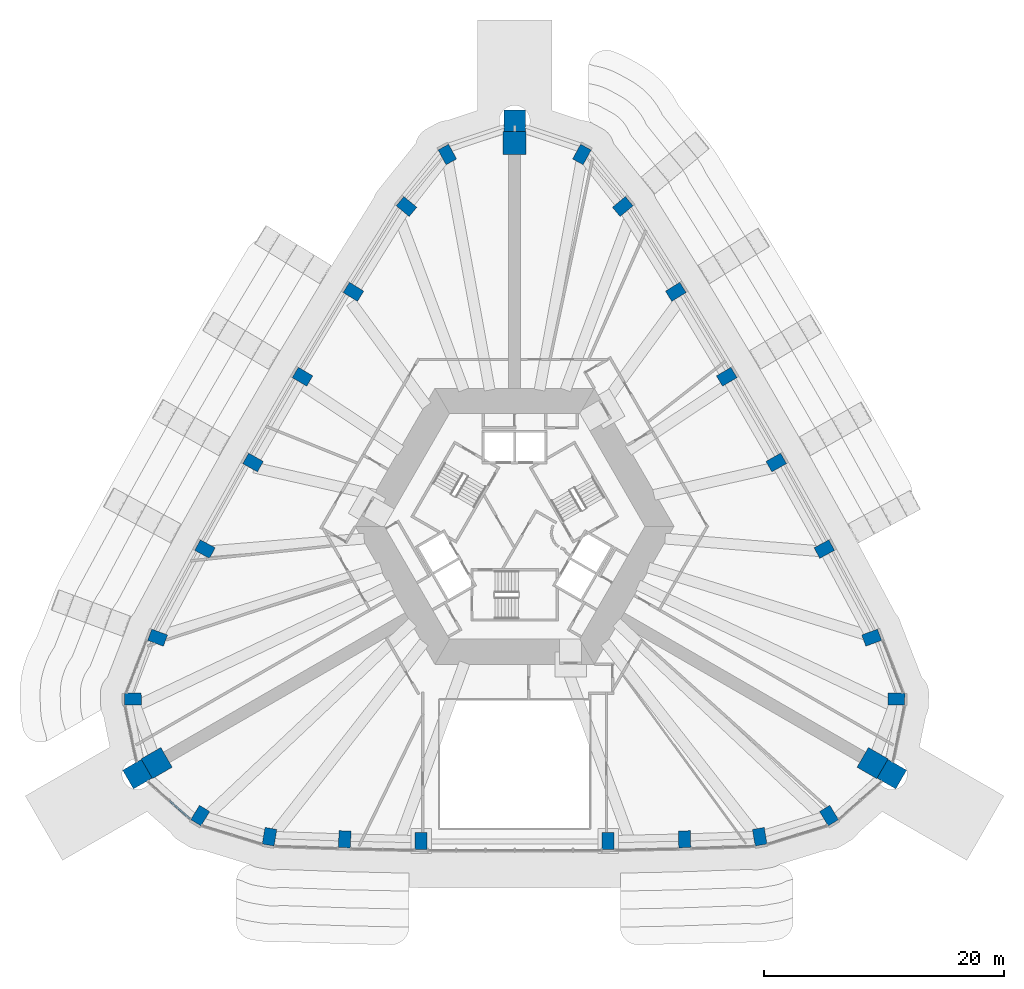
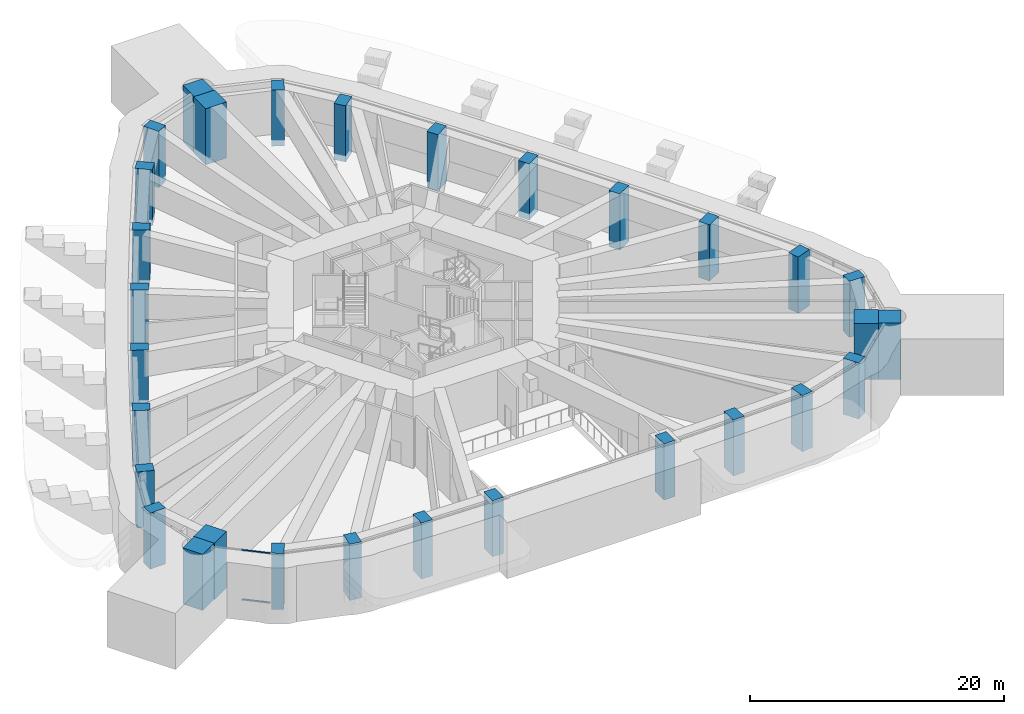
# One storey, part 1 of 21: 30 columns, 2 members, 1 element without a shape of its own.
"""IFC4 building model written with IfcOpenShell, lengths in metres."""

from ifc_helpers import new_model, si_unit, direction, frame, origin, origin_2d, place, context, subcontext, project, spatial, rectangle, extrude, material, material_profile, profile_set, type_object, element, aggregate, save


model = new_model("IFC4")

# Units and contexts
model_context = context("Model", 3, precision=1e-05, world=origin(), true_north=direction((0.0, 1.0)))
body_context = subcontext(model_context, "Body", "Model", "MODEL_VIEW")
ifc_project = project(units=[si_unit("LENGTHUNIT", "METRE"), si_unit("AREAUNIT", "SQUARE_METRE"), si_unit("VOLUMEUNIT", "CUBIC_METRE"), si_unit("PLANEANGLEUNIT", "RADIAN"), si_unit("MASSUNIT", "GRAM", prefix="KILO")], contexts=[model_context])

# Site, building, storey
site_placement = place(None, origin())
site = spatial("IfcSite", under=ifc_project, at=site_placement, CompositionType="ELEMENT")
building_placement = place(site_placement, origin())
building = spatial("IfcBuilding", under=site, at=building_placement, Name="Entoto Arch Interchange Tower", CompositionType="ELEMENT")
storey_placement = place(building_placement, frame((0.0, 0.0, 236.0)))
storey = spatial("IfcBuildingStorey", under=building, at=storey_placement, Name="L53", CompositionType="ELEMENT", Elevation=236.0)

# Columns
ifc_material_1 = material(Name="Concrete C50/60", Category="concrete")
ifc_material_profile_1 = material_profile(ifc_material_1, rectangle(XDim=1.0, YDim=1.39990234375, at=origin_2d()))
ifc_profile_set_1 = profile_set([ifc_material_profile_1], Name="Concrete C50/60")
column_type_1 = type_object("IfcColumnType", Name="Column RC 1000x1400 C50/60", PredefinedType="COLUMN", material=ifc_profile_set_1)
for number, where, z_axis, x_axis, name in (
    (1, (-20.4169921875, -23.35205078125, -0.60009765625), (0.0, 0.0, 1.0), (-0.985541276773, 0.169435509195, 0.0), "Column S01 L53"),
    (2, (-14.154052734375, -23.56494140625, -0.60009765625), (0.0, 0.0, 1.0), (-0.999420902032, 0.034027350502, 0.0), "Column S02 L53"),
    (3, (-7.7880859375, -23.7060546875, -0.60009765625), (0.0, 0.0, 1.0), (-0.999913181484, 0.013176854508, 0.0), "Column S03 L53"),
    (4, (7.7880859375, -23.7060546875, -0.60009765625), (0.0, 0.0, 1.0), (0.999913181484, 0.013176854508, 0.0), "Column S04 L53"),
    (5, (14.154052734375, -23.56494140625, -0.60009765625), (0.0, 0.0, 1.0), (0.999420902032, 0.034027350502, 0.0), "Column S05 L53"),
    (6, (20.4169921875, -23.35205078125, -0.60009765625), (0.0, 0.0, 1.0), (0.985541276773, 0.169435509195, 0.0), "Column S06 L53"),
    (7, (26.18994140625, -21.593017578125, -0.60009765625), (0.0, 0.0, 1.0), (0.853423465127, 0.521218178089, 0.0), "Column SE1 L53"),
    (8, (31.794921875, -11.885009765625, -0.60009765625), (0.0, 0.0, 1.0), (0.024676450576, 0.99969549003, 0.0), "Column SE3 L53"),
    (9, (29.741943359375, -6.77197265625, -0.60009765625), (0.0, 0.0, 1.0), (-0.34706660219, 0.937840484114, 0.0), "Column NE01 L53"),
    (10, (25.797119140625, 0.60791015625, -0.60009765625), (0.0, 0.0, 1.0), (-0.474134310084, 0.880452529102, 0.0), "Column NE02 L53"),
    (11, (21.7919921875, 7.820068359375, -0.60009765625), (0.0, 0.0, 1.0), (-0.491435856222, 0.870913772551, 0.0), "Column NE03 L53"),
    (12, (17.66796875, 14.962890625, -0.60009765625), (0.0, 0.0, 1.0), (-0.508515523424, 0.861052822095, 0.0), "Column NE04 L53"),
    (13, (13.425048828125, 22.037109375, -0.60009765625), (0.0, 0.0, 1.0), (-0.525427101986, 0.850838621889, 0.0), "Column NE05 L53"),
    (14, (9.0048828125, 29.14306640625, -0.60009765625), (0.0, 0.0, 1.0), (-0.638660382845, 0.769488736359, 0.0), "Column NE06 L53"),
    (15, (5.60400390625, 33.47900390625, -0.60009765625), (0.0, 0.0, 1.0), (-0.878099915703, 0.478477311941, 0.0), "Column N1 L53"),
    (16, (-5.60400390625, 33.47900390625, -0.60009765625), (0.0, 0.0, 1.0), (0.878099915703, 0.478477311941, 0.0), "Column N3 L53"),
    (17, (-9.0048828125, 29.14306640625, -0.60009765625), (0.0, 0.0, 1.0), (0.638660382845, 0.769488736359, 0.0), "Column NW01 L53"),
    (18, (-13.425048828125, 22.037109375, -0.60009765625), (0.0, 0.0, 1.0), (0.525427101986, 0.850838621889, 0.0), "Column NW02 L53"),
    (19, (-17.66796875, 14.962890625, -0.60009765625), (0.0, 0.0, 1.0), (0.508515523424, 0.861052822095, 0.0), "Column NW03 L53"),
    (20, (-21.7919921875, 7.820068359375, -0.60009765625), (0.0, 0.0, 1.0), (0.491435856222, 0.870913772551, 0.0), "Column NW04 L53"),
    (21, (-25.797119140625, 0.60791015625, -0.60009765625), (0.0, 0.0, 1.0), (0.474134310084, 0.880452529102, 0.0), "Column NW05 L53"),
    (22, (-29.741943359375, -6.77197265625, -0.60009765625), (0.0, 0.0, 1.0), (0.34706660219, 0.937840484114, 0.0), "Column NW06 L53"),
    (23, (-31.794921875, -11.885009765625, -0.60009765625), (0.0, 0.0, 1.0), (-0.024676450576, 0.99969549003, 0.0), "Column SW1 L53"),
    (24, (-26.18994140625, -21.593017578125, -0.60009765625), (0.0, 0.0, 1.0), (-0.853423465127, 0.521218178089, 0.0), "Column SW3 L53"),
):
    element("IfcColumn", number, at=place(storey_placement, frame(where, z_axis=z_axis, x_axis=x_axis)), inside=storey, type_object=column_type_1, Name=name, PredefinedType="COLUMN", context=body_context, shape_type="SweptSolid", body=[
        extrude(rectangle(XDim=1.0, YDim=1.39990234375, at=origin_2d()), origin(), (0.0, 0.0, 1.0), 5.400146484375),
    ])
ifc_material_2 = material(Name="Precast concrete C40/50", Category="concrete")
ifc_material_profile_2 = material_profile(ifc_material_2, rectangle(XDim=1.800048828125, YDim=1.800048828125, at=origin_2d()))
ifc_profile_set_2 = profile_set([ifc_material_profile_2], Name="Precast concrete C40/50")
column_type_2 = type_object("IfcColumnType", Name="Frame post RC 1800x1800 precast C40/50", PredefinedType="COLUMN", material=ifc_profile_set_2)
for number, where, z_axis, x_axis, name in (
    (25, (31.422119140625, -18.14111328125, -0.60009765625), (0.0, 0.0, 1.0), (-0.866025403784, 0.5, 0.0), "Frame post SE L53"),
    (26, (0.0, 36.282958984375, -0.60009765625), (0.0, 0.0, 1.0), (0.0, 1.0, 0.0), "Frame post N L53"),
    (27, (-31.422119140625, -18.14111328125, -0.60009765625), (0.0, 0.0, 1.0), (0.866025403784, 0.5, 0.0), "Frame post SW L53"),
):
    element("IfcColumn", number, at=place(storey_placement, frame(where, z_axis=z_axis, x_axis=x_axis)), inside=storey, type_object=column_type_2, Name=name, PredefinedType="COLUMN", context=body_context, shape_type="SweptSolid", body=[
        extrude(rectangle(XDim=1.800048828125, YDim=1.800048828125, at=origin_2d()), origin(), (0.0, 0.0, 1.0), 5.400146484375),
    ])
ifc_material_profile_3 = material_profile(ifc_material_1, rectangle(XDim=1.89990234375, YDim=1.89990234375, at=origin_2d()))
ifc_profile_set_3 = profile_set([ifc_material_profile_3], Name="Concrete C50/60")
column_type_3 = type_object("IfcColumnType", Name="Mega column RC 1900x1900 C50/60", PredefinedType="COLUMN", material=ifc_profile_set_3)
for number, where, z_axis, x_axis, name in (
    (28, (29.820068359375, -17.216064453125, -0.60009765625), (0.0, 0.0, 1.0), (-0.866025403784, 0.5, 0.0), "Corner mega column SE2 L53"),
    (29, (0.0, 34.43310546875, -0.60009765625), (0.0, 0.0, 1.0), (0.0, 1.0, 0.0), "Corner mega column N2 L53"),
    (30, (-29.820068359375, -17.216064453125, -0.60009765625), (0.0, 0.0, 1.0), (0.866025403784, 0.5, 0.0), "Corner mega column SW2 L53"),
):
    element("IfcColumn", number, at=place(storey_placement, frame(where, z_axis=z_axis, x_axis=x_axis)), inside=storey, type_object=column_type_3, Name=name, PredefinedType="COLUMN", context=body_context, shape_type="SweptSolid", body=[
        extrude(rectangle(XDim=1.89990234375, YDim=1.89990234375, at=origin_2d()), origin(), (0.0, 0.0, 1.0), 5.400146484375),
    ])

# Curtain wall, members
ifc_material_3 = material(Name="Aluminium, anodised", Category="aluminium")
curtain_wall_type = type_object("IfcCurtainWallType", Name="CURTAIN WALL SKY LOBBY", PredefinedType="NOTDEFINED", material=ifc_material_3)
curtain_wall_placement = place(storey_placement, origin())
curtain_wall = element("IfcCurtainWall", 31, at=curtain_wall_placement, inside=storey, type_object=curtain_wall_type, Name="Sky Lobby glazing SW-03 L53", PredefinedType="NOTDEFINED")
ifc_material_profile_4 = material_profile(ifc_material_3, rectangle(XDim=0.159912109375, YDim=0.070068359375, at=origin_2d()))
ifc_profile_set_4 = profile_set([ifc_material_profile_4], Name="Aluminium, anodised")
member_type = type_object("IfcMemberType", Name="TRANSOM SKY LOBBY 70x160", PredefinedType="USERDEFINED", material=ifc_profile_set_4)
member_1_placement = place(storey_placement, frame((-28.752197265625, -20.33935546875, 0.034912109375), z_axis=(0.74848669237, -0.663149810635, 0.0), x_axis=(0.663149810635, 0.74848669237, 0.0)))
member_1 = element("IfcMember", 32, at=member_1_placement, type_object=member_type, Name="CWS transom 2.1", ObjectType="TRANSOM", PredefinedType="USERDEFINED", context=body_context, shape_type="SweptSolid", body=[
    extrude(rectangle(XDim=0.159912109375, YDim=0.070068359375, at=origin_2d()), origin(), (0.0, 0.0, 1.0), 2.285888671875),
])
member_2_placement = place(storey_placement, frame((-28.752197265625, -20.33935546875, 4.764892578125), z_axis=(0.74848669237, -0.663149810635, 0.0), x_axis=(0.663149810635, 0.74848669237, 0.0)))
member_2 = element("IfcMember", 33, at=member_2_placement, type_object=member_type, Name="CWS transom 2.2", ObjectType="TRANSOM", PredefinedType="USERDEFINED", context=body_context, shape_type="SweptSolid", body=[
    extrude(rectangle(XDim=0.159912109375, YDim=0.070068359375, at=origin_2d()), origin(), (0.0, 0.0, 1.0), 2.285888671875),
])
aggregate(curtain_wall, [member_1, member_2])

save(model, "model.ifc")
